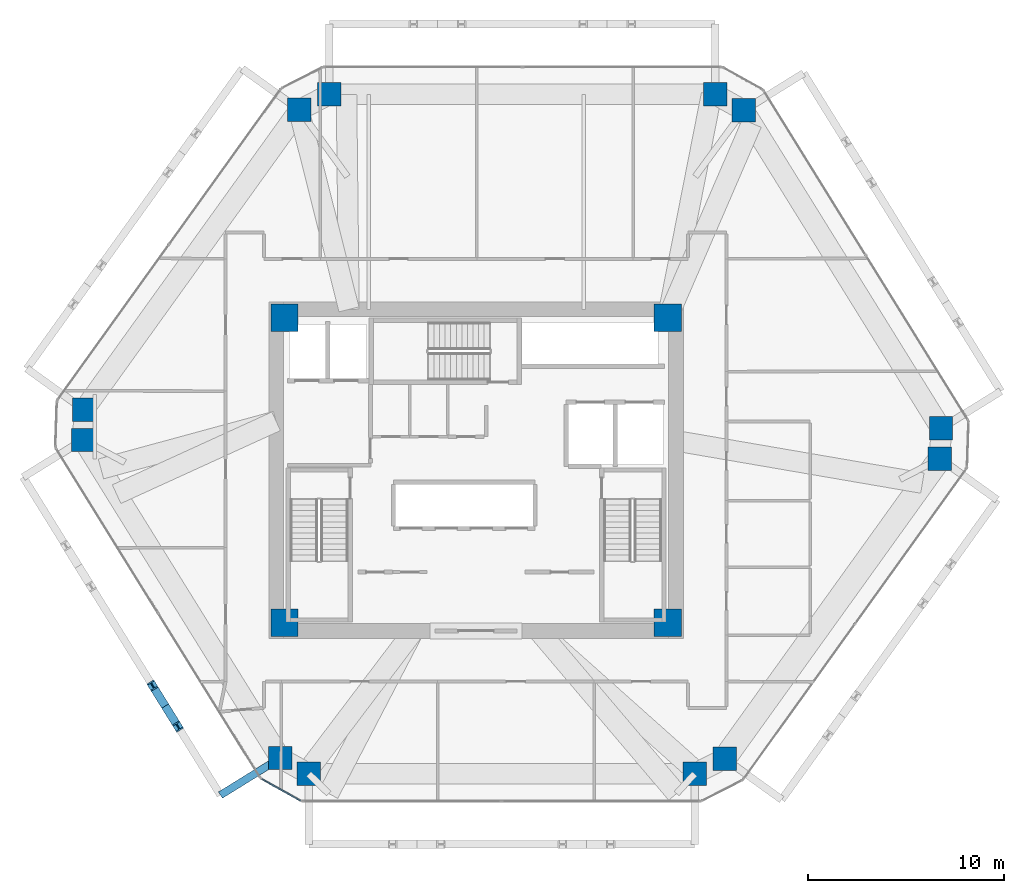
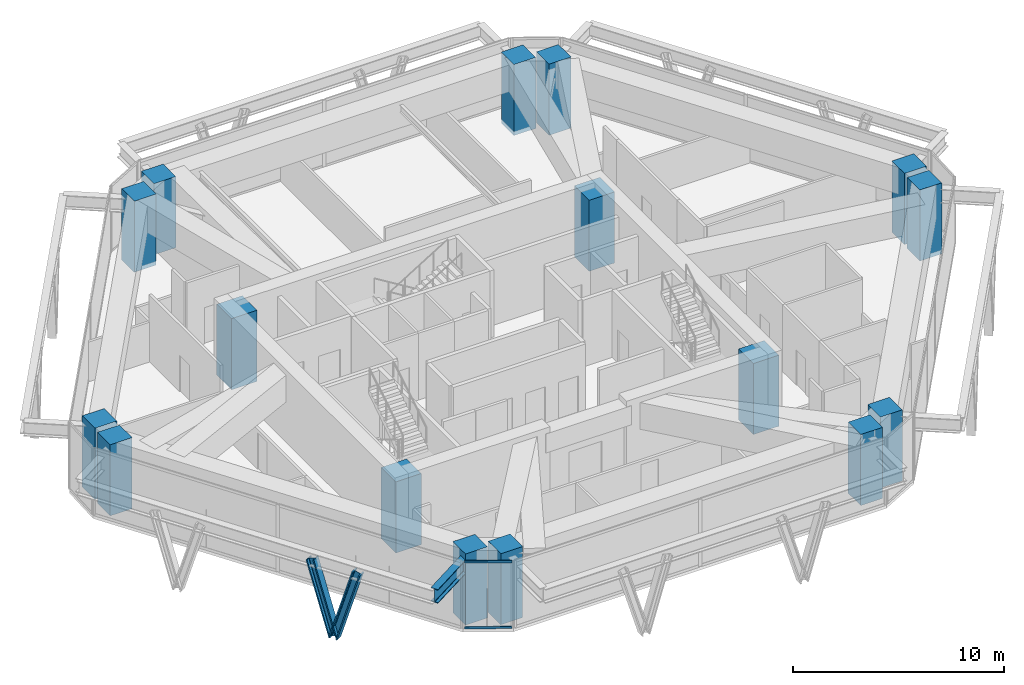
# One storey, part 1 of 14: 16 columns, 4 members, 1 beam, 1 element without a shape of its own.
"""IFC4 building model written with IfcOpenShell, lengths in metres."""

from ifc_helpers import new_model, si_unit, direction, frame, origin, origin_2d, place, context, subcontext, project, spatial, rectangle, i_section, extrude, source, transform, mapped, material, layer, layer_set, material_profile, profile_set, type_object, type_shapes, element, aggregate, save


model = new_model("IFC4")

# Units and contexts
model_context = context("Model", 3, precision=1e-05, world=origin(), true_north=direction((0.0, 1.0)))
body_context = subcontext(model_context, "Body", "Model", "MODEL_VIEW")
ifc_project = project(units=[si_unit("LENGTHUNIT", "METRE"), si_unit("AREAUNIT", "SQUARE_METRE"), si_unit("VOLUMEUNIT", "CUBIC_METRE"), si_unit("PLANEANGLEUNIT", "RADIAN"), si_unit("MASSUNIT", "GRAM", prefix="KILO")], contexts=[model_context])

# Site, building, storey
site_placement = place(None, origin())
site = spatial("IfcSite", under=ifc_project, at=site_placement, CompositionType="ELEMENT")
building_placement = place(site_placement, origin())
building = spatial("IfcBuilding", under=site, at=building_placement, Name="Durnholm Broadcast Tower", CompositionType="ELEMENT")
storey_placement = place(building_placement, frame((0.0, 0.0, 146.10009765625)))
storey = spatial("IfcBuildingStorey", under=building, at=storey_placement, Name="L40", CompositionType="ELEMENT", Elevation=146.10009765625)

# Columns
ifc_material_1 = material(Name="Concrete C70/85", Category="concrete")
ifc_material_profile_1 = material_profile(ifc_material_1, rectangle(XDim=1.39990234375, YDim=1.39990234375, at=origin_2d()), Name="RC1400X1400")
ifc_profile_set_1 = profile_set([ifc_material_profile_1], Name="Concrete C70/85")
column_type_1 = type_object("IfcColumnType", Name="COL-CC-1400", PredefinedType="COLUMN", material=ifc_profile_set_1)
shared_shape_1 = source(origin(), body_context, "Body", "SweptSolid", [
    extrude(rectangle(XDim=1.39990234375, YDim=1.39990234375, at=origin_2d()), origin(), (0.0, 0.0, 1.0), 4.119873046875),
])
type_shapes(column_type_1, [shared_shape_1])
for number, where, z_axis, x_axis, name in (
    (1, (-9.800048828125, -7.800048828125, -0.239990234375), (0.0, 0.0, 1.0), (1.0, 0.0, 0.0), "L40 core corner column 1"),
    (2, (9.800048828125, -7.800048828125, -0.239990234375), (0.0, 0.0, 1.0), (1.0, 0.0, 0.0), "L40 core corner column 2"),
    (3, (9.800048828125, 7.800048828125, -0.239990234375), (0.0, 0.0, 1.0), (1.0, 0.0, 0.0), "L40 core corner column 3"),
    (4, (-9.800048828125, 7.800048828125, -0.239990234375), (0.0, 0.0, 1.0), (1.0, 0.0, 0.0), "L40 core corner column 4"),
):
    element("IfcColumn", number, at=place(storey_placement, frame(where, z_axis=z_axis, x_axis=x_axis)), inside=storey, type_object=column_type_1, Name=name, PredefinedType="COLUMN", context=body_context, shape_type="MappedRepresentation", body=[
        mapped(shared_shape_1, transform((0.0, 0.0, 0.0), x_axis=(1.0, 0.0, 0.0), y_axis=(0.0, 1.0, 0.0), z_axis=(0.0, 0.0, 1.0), scale=1.0)),
    ])
ifc_material_profile_2 = material_profile(ifc_material_1, rectangle(XDim=1.199951171875, YDim=1.199951171875, at=origin_2d()), Name="RC1200X1200")
ifc_profile_set_2 = profile_set([ifc_material_profile_2], Name="Concrete C70/85")
column_type_2 = type_object("IfcColumnType", Name="COL-CC-1200", PredefinedType="COLUMN", material=ifc_profile_set_2)
shared_shape_2 = source(origin(), body_context, "Body", "SweptSolid", [
    extrude(rectangle(XDim=1.199951171875, YDim=1.199951171875, at=origin_2d()), origin(), (0.0, 0.0, 1.0), 4.119873046875),
])
type_shapes(column_type_2, [shared_shape_2])
for number, where, z_axis, x_axis, name in (
    (5, (-10.01416015625, -14.723388671875, -0.239990234375), (0.0, 0.0, 1.0), (1.0, 0.0, 0.0), "L40 perimeter hexagonal tube column 01"),
    (6, (-20.102783203125, 1.54150390625, -0.239990234375), (0.0, 0.0, 1.0), (1.0, 0.0, 0.0), "L40 perimeter hexagonal tube column 02"),
    (7, (-20.050048828125, 3.091064453125, -0.239990234375), (0.0, 0.0, 1.0), (1.0, 0.0, 0.0), "L40 perimeter hexagonal tube column 03"),
    (8, (-9.031982421875, 18.42822265625, -0.239990234375), (0.0, 0.0, 1.0), (1.0, 0.0, 0.0), "L40 perimeter hexagonal tube column 04"),
    (9, (-7.498046875, 19.215087890625, -0.239990234375), (0.0, 0.0, 1.0), (1.0, 0.0, 0.0), "L40 perimeter hexagonal tube column 05"),
    (10, (12.22998046875, 19.215087890625, -0.239990234375), (0.0, 0.0, 1.0), (1.0, 0.0, 0.0), "L40 perimeter hexagonal tube column 06"),
    (11, (13.692138671875, 18.4013671875, -0.239990234375), (0.0, 0.0, 1.0), (1.0, 0.0, 0.0), "L40 perimeter hexagonal tube column 07"),
    (12, (23.78076171875, 2.13671875, -0.239990234375), (0.0, 0.0, 1.0), (1.0, 0.0, 0.0), "L40 perimeter hexagonal tube column 08"),
    (13, (23.72802734375, 0.5869140625, -0.239990234375), (0.0, 0.0, 1.0), (1.0, 0.0, 0.0), "L40 perimeter hexagonal tube column 09"),
    (14, (12.7099609375, -14.750244140625, -0.239990234375), (0.0, 0.0, 1.0), (1.0, 0.0, 0.0), "L40 perimeter hexagonal tube column 10"),
    (15, (11.176025390625, -15.537109375, -0.239990234375), (0.0, 0.0, 1.0), (1.0, 0.0, 0.0), "L40 perimeter hexagonal tube column 11"),
    (16, (-8.552001953125, -15.537109375, -0.239990234375), (0.0, 0.0, 1.0), (1.0, 0.0, 0.0), "L40 perimeter hexagonal tube column 12"),
):
    element("IfcColumn", number, at=place(storey_placement, frame(where, z_axis=z_axis, x_axis=x_axis)), inside=storey, type_object=column_type_2, Name=name, PredefinedType="COLUMN", context=body_context, shape_type="MappedRepresentation", body=[
        mapped(shared_shape_2, transform((0.0, 0.0, 0.0), x_axis=(1.0, 0.0, 0.0), y_axis=(0.0, 1.0, 0.0), z_axis=(0.0, 0.0, 1.0), scale=1.0)),
    ])

# Beam
ifc_material_2 = material(Name="Steel ASTM A992 Grade 50", Category="steel")
ifc_material_profile_3 = material_profile(ifc_material_2, i_section(OverallWidth=0.385009765625, OverallDepth=0.802978515625, WebThickness=0.023681640625, FlangeThickness=0.0419921875, FilletRadius=0.032958984375, at=origin_2d()), Name="W30X261")
ifc_profile_set_3 = profile_set([ifc_material_profile_3], Name="Steel ASTM A992 Grade 50")
beam_type = type_object("IfcBeamType", Name="BM-EXO-TIE", PredefinedType="USERDEFINED", material=ifc_profile_set_3)
shared_shape_3 = source(origin(), body_context, "Body", "SweptSolid", [
    extrude(i_section(OverallWidth=0.385009765625, OverallDepth=0.802978515625, WebThickness=0.023681640625, FlangeThickness=0.0419921875, FilletRadius=0.032958984375, at=origin_2d()), origin(), (0.0, 0.0, 1.0), 3.455810546875),
])
type_shapes(beam_type, [shared_shape_3])
beam_placement = place(storey_placement, frame((-10.13671875, -14.79931640625, 3.12841796875), z_axis=(-0.849807128357, -0.527093772107, 0.0), x_axis=(0.527093772107, -0.849807128357, 0.0)))
element("IfcBeam", 17, at=beam_placement, inside=storey, type_object=beam_type, Name="L40 exoskeleton stand-off tie bracket F6.2", ObjectType="GIRDER", PredefinedType="USERDEFINED", context=body_context, shape_type="MappedRepresentation", body=[
    mapped(shared_shape_3, transform((0.0, 0.0, 0.0), x_axis=(1.0, 0.0, 0.0), y_axis=(0.0, 1.0, 0.0), z_axis=(0.0, 0.0, 1.0), scale=1.0)),
])

# Members
ifc_material_3 = material(Name="Steel ASTM A913 Grade 65", Category="steel")
ifc_material_profile_4 = material_profile(ifc_material_3, i_section(OverallWidth=0.41845703125, OverallDepth=0.455078125, WebThickness=0.0419921875, FlangeThickness=0.067626953125, FilletRadius=0.030517578125, at=origin_2d()), Name="W14X370")
ifc_profile_set_4 = profile_set([ifc_material_profile_4], Name="Steel ASTM A913 Grade 65")
member_type_1 = type_object("IfcMemberType", Name="STL-DG-W14X370", PredefinedType="BRACE", material=ifc_profile_set_4)
shared_shape_4 = source(origin(), body_context, "Body", "SweptSolid", [
    extrude(i_section(OverallWidth=0.41845703125, OverallDepth=0.455078125, WebThickness=0.0419921875, FlangeThickness=0.067626953125, FilletRadius=0.030517578125, at=origin_2d()), origin(), (0.0, 0.0, 1.0), 4.30078125),
])
member_1_placement = place(storey_placement, frame((-15.898193359375, -12.066650390625, -0.991455078125), z_axis=(0.151229547448, -0.243817907766, 0.95795743738), x_axis=(0.849805205368, 0.527096872433, 0.0)))
element("IfcMember", 18, at=member_1_placement, inside=storey, type_object=member_type_1, Name="L40 stand-off diagrid brace F6.D2.2", PredefinedType="BRACE", context=body_context, shape_type="MappedRepresentation", body=[
    mapped(shared_shape_4, transform((0.0, 0.0, 0.0), x_axis=(1.0, 0.0, 0.0), y_axis=(0.0, 1.0, 0.0), z_axis=(0.0, 0.0, 1.0), scale=1.0)),
])
shared_shape_5 = source(origin(), body_context, "Body", "SweptSolid", [
    extrude(i_section(OverallWidth=0.41845703125, OverallDepth=0.455078125, WebThickness=0.0419921875, FlangeThickness=0.067626953125, FilletRadius=0.030517578125, at=origin_2d()), origin(), (0.0, 0.0, 1.0), 4.300537109375),
])
type_shapes(member_type_1, [shared_shape_4, shared_shape_5])
member_2_placement = place(storey_placement, frame((-15.898193359375, -12.066650390625, -0.991455078125), z_axis=(-0.151231640418, 0.243764513497, 0.957970695218), x_axis=(-0.849750220063, -0.527185511469, 0.0)))
element("IfcMember", 19, at=member_2_placement, inside=storey, type_object=member_type_1, Name="L40 stand-off diagrid brace F6.D2.1", PredefinedType="BRACE", context=body_context, shape_type="MappedRepresentation", body=[
    mapped(shared_shape_5, transform((0.0, 0.0, 0.0), x_axis=(1.0, 0.0, 0.0), y_axis=(0.0, 1.0, 0.0), z_axis=(0.0, 0.0, 1.0), scale=1.0)),
])

# Curtain wall, members
ifc_material_4 = material(Name="Aluminium and Solar Control IGU", Category="aluminium")
ifc_layer = layer(ifc_material_4, 0.1650390625)
ifc_layer_set = layer_set([ifc_layer], Name="Aluminium and Solar Control IGU")
curtain_wall_type = type_object("IfcCurtainWallType", Name="CW-SYS-5", PredefinedType="NOTDEFINED", material=ifc_layer_set)
curtain_wall_placement = place(storey_placement, origin())
curtain_wall = element("IfcCurtainWall", 20, at=curtain_wall_placement, inside=storey, type_object=curtain_wall_type, Name="L40 curtain wall CW-CORNER CW-L40-CRN-11", PredefinedType="NOTDEFINED")
ifc_material_5 = material(Name="Aluminium 6063-T6", Category="aluminium")
ifc_material_profile_5 = material_profile(ifc_material_5, rectangle(XDim=0.06494140625, YDim=0.1298828125, at=origin_2d()), Name="CWT65X130")
ifc_profile_set_5 = profile_set([ifc_material_profile_5], Name="Aluminium 6063-T6")
member_type_2 = type_object("IfcMemberType", Name="CW-SYS-5-TRN", PredefinedType="USERDEFINED", material=ifc_profile_set_5)
shared_shape_6 = source(origin(), body_context, "Body", "SweptSolid", [
    extrude(rectangle(XDim=0.06494140625, YDim=0.1298828125, at=origin_2d()), origin(), (0.0, 0.0, 1.0), 2.27001953125),
])
type_shapes(member_type_2, [shared_shape_6])
member_3_placement = place(storey_placement, frame((-8.971923828125, -16.9052734375, 0.032470703125), z_axis=(-0.873832405737, 0.486227237703, 0.0), x_axis=(-0.486227237703, -0.873832405737, 0.0)))
member_3 = element("IfcMember", 21, at=member_3_placement, type_object=member_type_2, Name="CW-CORNER transom 1.1", ObjectType="TRANSOM", PredefinedType="USERDEFINED", context=body_context, shape_type="MappedRepresentation", body=[
    mapped(shared_shape_6, transform((0.0, 0.0, 0.0), x_axis=(1.0, 0.0, 0.0), y_axis=(0.0, 1.0, 0.0), z_axis=(0.0, 0.0, 1.0), scale=1.0)),
])
member_4_placement = place(storey_placement, frame((-8.971923828125, -16.9052734375, 3.847412109375), z_axis=(-0.873832405737, 0.486227237703, 0.0), x_axis=(-0.486227237703, -0.873832405737, 0.0)))
member_4 = element("IfcMember", 22, at=member_4_placement, type_object=member_type_2, Name="CW-CORNER transom 1.2", ObjectType="TRANSOM", PredefinedType="USERDEFINED", context=body_context, shape_type="MappedRepresentation", body=[
    mapped(shared_shape_6, transform((0.0, 0.0, 0.0), x_axis=(1.0, 0.0, 0.0), y_axis=(0.0, 1.0, 0.0), z_axis=(0.0, 0.0, 1.0), scale=1.0)),
])
aggregate(curtain_wall, [member_3, member_4])

save(model, "model.ifc")
